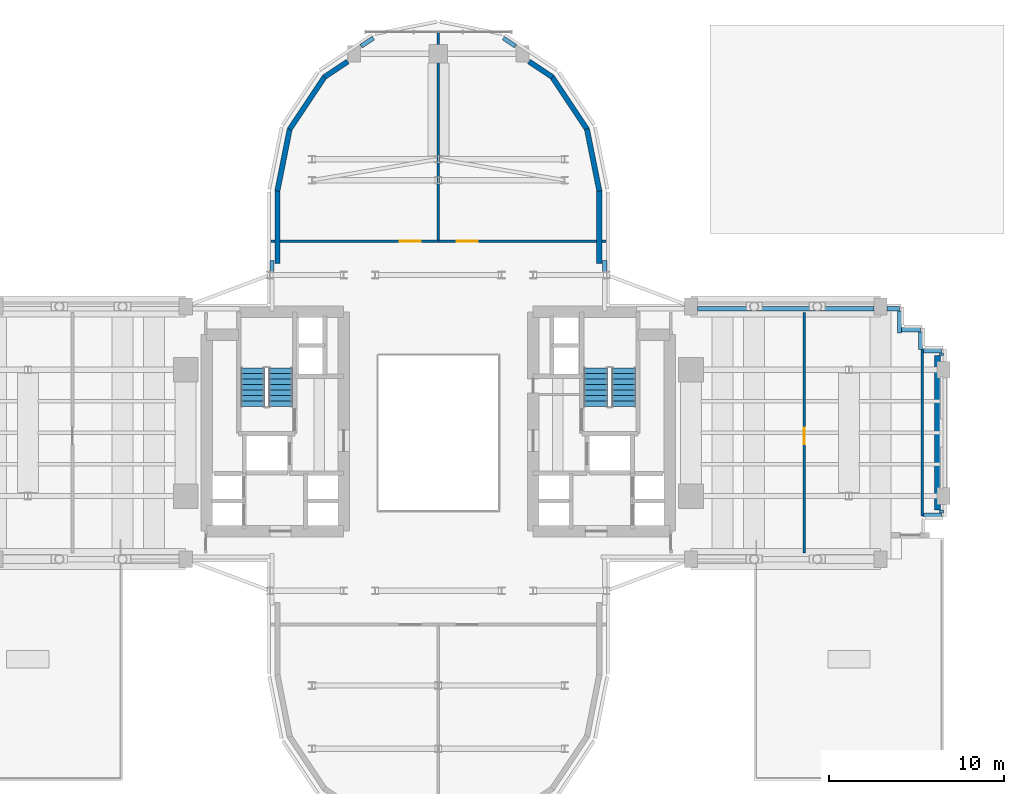
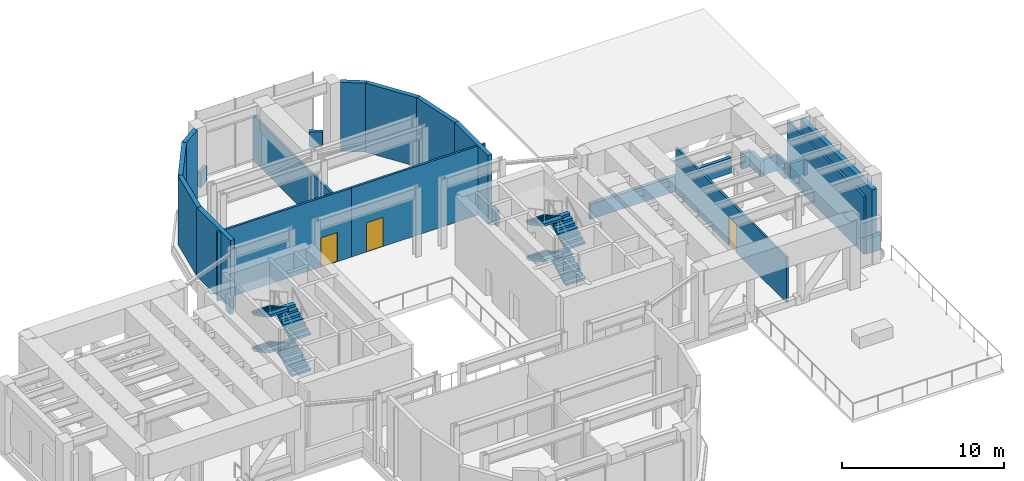
# One storey, part 11 of 16: 27 walls, 8 stair flights, 3 doors, 3 openings, 2 elements without a shape of their own.
"""IFC4 building model written with IfcOpenShell, lengths in metres."""

from ifc_helpers import new_model, si_unit, direction, frame, frame_2d, origin, place, context, subcontext, project, spatial, polyline, rectangle, outline, extrude, source, transform, mapped, material, layer, layer_set, type_object, element, fill, aggregate, save


model = new_model("IFC4")

# Units and contexts
model_context = context("Model", 3, precision=1e-05, world=origin(), true_north=direction((0.0, 1.0)))
body_context = subcontext(model_context, "Body", "Model", "MODEL_VIEW")
ifc_project = project(units=[si_unit("LENGTHUNIT", "METRE"), si_unit("AREAUNIT", "SQUARE_METRE"), si_unit("VOLUMEUNIT", "CUBIC_METRE"), si_unit("PLANEANGLEUNIT", "RADIAN"), si_unit("MASSUNIT", "GRAM", prefix="KILO")], contexts=[model_context])

# Site, building, storey
site_placement = place(None, origin())
site = spatial("IfcSite", under=ifc_project, at=site_placement, CompositionType="ELEMENT")
building_placement = place(site_placement, origin())
building = spatial("IfcBuilding", under=site, at=building_placement, Name="Keilestroom Media Tower", CompositionType="ELEMENT")
storey_placement = place(building_placement, frame((0.0, 0.0, 25.199951171875)))
storey = spatial("IfcBuildingStorey", under=building, at=storey_placement, Name="L05", CompositionType="ELEMENT", Elevation=25.199951171875)

# Walls
ifc_material_1 = material(Name="Precast concrete C40/50", Category="concrete")
ifc_layer_1 = layer(ifc_material_1, 0.300048828125)
ifc_layer_set_1 = layer_set([ifc_layer_1], Name="Precast concrete C40/50")
wall_type_1 = type_object("IfcWallType", Name="Exterior-Masonry-Spandrel-Wall-300", PredefinedType="SOLIDWALL", material=ifc_layer_set_1)
wall_1_placement = place(storey_placement, frame((9.171875, 9.659912109375, 0.0), z_axis=(0.0, 0.0, 1.0), x_axis=(0.0, 1.0, 0.0)))
element("IfcWall", 1, at=wall_1_placement, inside=storey, type_object=wall_type_1, Name="L05 Plant Lobe Masonry Wall 01", PredefinedType="SOLIDWALL", context=body_context, shape_type="SweptSolid", body=[
    extrude(rectangle(XDim=4.170166015625, YDim=0.300048828125, at=frame_2d((2.0849609375, 0.0))), origin(), (0.0, 0.0, 1.0), 5.199951171875),
])
for number, where, z_axis, x_axis, name in (
    (2, (9.1748046875, 13.785400390625, 0.0), (0.0, 0.0, 1.0), (-0.195114232679, 0.980780523974, 0.0), "L05 Plant Lobe Masonry Wall 02"),
    (3, (8.48193359375, 17.29736328125, 0.0), (0.0, 0.0, 1.0), (-0.555574187116, 0.831466970246, 0.0), "L05 Plant Lobe Masonry Wall 03"),
):
    element("IfcWall", number, at=place(storey_placement, frame(where, z_axis=z_axis, x_axis=x_axis)), inside=storey, type_object=wall_type_1, Name=name, PredefinedType="SOLIDWALL", context=body_context, shape_type="SweptSolid", body=[
        extrude(rectangle(XDim=3.608642578125, YDim=0.300048828125, at=frame_2d((1.80419921875, 0.0))), origin(), (0.0, 0.0, 1.0), 5.199951171875),
    ])
for number, where, z_axis, x_axis, name in (
    (4, (6.497802734375, 20.277099609375, 0.0), (0.0, 0.0, 1.0), (-0.831440566957, 0.555613699992, 0.0), "L05 Plant Lobe Masonry Wall 04"),
    (5, (-5.1650390625, 21.167724609375, 0.0), (0.0, 0.0, 1.0), (-0.831440566957, -0.555613699992, 0.0), "L05 Plant Lobe Masonry Wall 05"),
):
    element("IfcWall", number, at=place(storey_placement, frame(where, z_axis=z_axis, x_axis=x_axis)), inside=storey, type_object=wall_type_1, Name=name, PredefinedType="SOLIDWALL", context=body_context, shape_type="SweptSolid", body=[
        extrude(rectangle(XDim=1.60302734375, YDim=0.300048828125, at=frame_2d((0.801513671875, 0.0))), origin(), (0.0, 0.0, 1.0), 5.199951171875),
    ])
for number, where, z_axis, x_axis, name in (
    (6, (-6.47705078125, 20.2978515625, 0.0), (0.0, 0.0, 1.0), (-0.555574187116, -0.831466970246, 0.0), "L05 Plant Lobe Masonry Wall 06"),
    (7, (-8.470703125, 17.32470703125, 0.0), (0.0, 0.0, 1.0), (-0.195114232679, -0.980780523974, 0.0), "L05 Plant Lobe Masonry Wall 07"),
):
    element("IfcWall", number, at=place(storey_placement, frame(where, z_axis=z_axis, x_axis=x_axis)), inside=storey, type_object=wall_type_1, Name=name, PredefinedType="SOLIDWALL", context=body_context, shape_type="SweptSolid", body=[
        extrude(rectangle(XDim=3.608642578125, YDim=0.300048828125, at=frame_2d((1.80419921875, 0.0))), origin(), (0.0, 0.0, 1.0), 5.199951171875),
    ])
wall_2_placement = place(storey_placement, frame((-9.171875, 13.830078125, 0.0), z_axis=(0.0, 0.0, 1.0), x_axis=(0.0, -1.0, 0.0)))
element("IfcWall", 8, at=wall_2_placement, inside=storey, type_object=wall_type_1, Name="L05 Plant Lobe Masonry Wall 08", PredefinedType="SOLIDWALL", context=body_context, shape_type="SweptSolid", body=[
    extrude(rectangle(XDim=4.170166015625, YDim=0.300048828125, at=frame_2d((2.0849609375, 0.0))), origin(), (0.0, 0.0, 1.0), 5.199951171875),
])
ifc_layer_2 = layer(ifc_material_1, 0.340087890625)
ifc_layer_set_2 = layer_set([ifc_layer_2], Name="Precast concrete C40/50")
wall_type_2 = type_object("IfcWallType", Name="Exterior-Masonry-Spandrel-Wall-340", PredefinedType="SOLIDWALL", material=ifc_layer_set_2)
wall_3_placement = place(storey_placement, frame((28.449951171875, -4.39990234375, 0.0), z_axis=(0.0, 0.0, 1.0), x_axis=(0.0, 1.0, 0.0)))
element("IfcWall", 9, at=wall_3_placement, inside=storey, type_object=wall_type_2, Name="L05 Plant Masonry Screen Wall E", PredefinedType="SOLIDWALL", context=body_context, shape_type="SweptSolid", body=[
    extrude(rectangle(XDim=8.7998046875, YDim=0.340087890625, at=frame_2d((4.39990234375, 0.0))), origin(), (0.0, 0.0, 1.0), 4.385986328125),
])
ifc_material_2 = material(Name="Gypsum Plasterboard & Steel Stud", Category="steel")
ifc_layer_3 = layer(ifc_material_2, 0.14990234375)
ifc_layer_set_3 = layer_set([ifc_layer_3], Name="Gypsum Plasterboard & Steel Stud")
wall_type_3 = type_object("IfcWallType", Name="Interior-Partition-Wall-150", PredefinedType="PARTITIONING", material=ifc_layer_set_3)
wall_4_placement = place(storey_placement, frame((27.580078125, -4.75, 0.0), z_axis=(0.0, 0.0, 1.0), x_axis=(0.0, 1.0, 0.0)))
element("IfcWall", 10, at=wall_4_placement, inside=storey, type_object=wall_type_3, Name="L05 Interior Wall WP-L05-TLNG-EE", PredefinedType="PARTITIONING", context=body_context, shape_type="SweptSolid", body=[
    extrude(rectangle(XDim=9.5, YDim=0.14990234375, at=frame_2d((4.75, 0.0))), origin(), (0.0, 0.0, 1.0), 4.385986328125),
])

# Wall, opening, door
wall_5_placement = place(storey_placement, frame((20.85009765625, -6.85009765625, 0.0), z_axis=(0.0, 0.0, 1.0), x_axis=(0.0, 1.0, 0.0)))
wall_5 = element("IfcWall", 11, at=wall_5_placement, inside=storey, type_object=wall_type_3, Name="L05 Interior Wall WP-L05-REF-EE", PredefinedType="PARTITIONING", context=body_context, shape_type="SweptSolid", body=[
    extrude(rectangle(XDim=13.7001953125, YDim=0.14990234375, at=frame_2d((6.85009765625, 0.0))), origin(), (0.0, 0.0, 1.0), 3.400146484375),
])
opening_1_placement = place(wall_5_placement, frame((6.199951171875, 0.0, 0.0)))
opening_1 = element("IfcOpeningElement", 12, at=opening_1_placement, cuts=wall_5, Name="Opening DI-03", PredefinedType="OPENING", context=body_context, shape_type="SweptSolid", body=[
    extrude(rectangle(XDim=0.949951171875, YDim=2.14990234375, at=frame_2d((0.47509765625, 1.074951171875))), frame((0.0, 0.0849609375, 0.0), z_axis=(0.0, -1.0, 0.0), x_axis=(1.0, 0.0, 0.0)), (0.0, 0.0, 1.0), 0.169921875),
])
ifc_material_3 = material(Name="Lacquered European Oak Leaf", Category="wood")
door_type_1 = type_object("IfcDoorType", Name="Interior-Room-And-Suite-Door-DI-03", OperationType="NOTDEFINED", PredefinedType="DOOR", material=ifc_material_3)
shared_shape_1 = source(origin(), body_context, "Body", "SweptSolid", [
    extrude(rectangle(XDim=0.949951171875, YDim=2.14990234375, at=frame_2d((0.47509765625, 1.074951171875))), frame((0.0, 0.02490234375, 0.0), z_axis=(0.0, -1.0, 0.0), x_axis=(1.0, 0.0, 0.0)), (0.0, 0.0, 1.0), 0.050048828125),
])
door_1_placement = place(opening_1_placement, origin())
door_1 = element("IfcDoor", 13, at=door_1_placement, inside=storey, type_object=door_type_1, Name="L05 Interior Door DI-L05-DTLNG-SE", OperationType="SINGLE_SWING_LEFT", OverallHeight=2.14990234375, OverallWidth=0.949951171875, PredefinedType="DOOR", context=body_context, shape_type="MappedRepresentation", body=[
    mapped(shared_shape_1, transform((0.0, 0.0, 0.0), x_axis=(1.0, 0.0, 0.0), y_axis=(0.0, 1.0, 0.0), z_axis=(0.0, 0.0, 1.0), scale=1.0)),
])
fill(opening_1, door_1)

wall_6_placement = place(storey_placement, frame((-9.550048828125, 10.919921875, 0.0), z_axis=(0.0, 0.0, 1.0), x_axis=(1.0, 0.0, 0.0)))
wall_6 = element("IfcWall", 14, at=wall_6_placement, inside=storey, type_object=wall_type_3, Name="L05 Interior Wall WP-L05-PL-AHUN-S", PredefinedType="PARTITIONING", context=body_context, shape_type="SweptSolid", body=[
    extrude(rectangle(XDim=9.550048828125, YDim=0.14990234375, at=frame_2d((4.77490234375, 0.0))), origin(), (0.0, 0.0, 1.0), 5.199951171875),
])
opening_2_placement = place(wall_6_placement, frame((7.35009765625, 0.0, 0.0)))
opening_2 = element("IfcOpeningElement", 15, at=opening_2_placement, cuts=wall_6, Name="Opening DI-02", PredefinedType="OPENING", context=body_context, shape_type="SweptSolid", body=[
    extrude(rectangle(XDim=1.199951171875, YDim=2.199951171875, at=frame_2d((0.60009765625, 1.10009765625))), frame((0.0, 0.0849609375, 0.0), z_axis=(0.0, -1.0, 0.0), x_axis=(1.0, 0.0, 0.0)), (0.0, 0.0, 1.0), 0.169921875),
])
ifc_material_4 = material(Name="Powder-Coated Steel Fire Leaf", Category="steel")
door_type_2 = type_object("IfcDoorType", Name="Interior-Compartment-Fire-Door-DI-02", OperationType="NOTDEFINED", PredefinedType="DOOR", material=ifc_material_4)
shared_shape_2 = source(origin(), body_context, "Body", "SweptSolid", [
    extrude(rectangle(XDim=1.199951171875, YDim=2.199951171875, at=frame_2d((0.60009765625, 1.10009765625))), frame((0.0, 0.02490234375, 0.0), z_axis=(0.0, -1.0, 0.0), x_axis=(1.0, 0.0, 0.0)), (0.0, 0.0, 1.0), 0.050048828125),
])
door_2_placement = place(opening_2_placement, origin())
door_2 = element("IfcDoor", 16, at=door_2_placement, inside=storey, type_object=door_type_2, Name="L05 Interior Door DI-L05-PL-AHUN-D", OperationType="SINGLE_SWING_RIGHT", OverallHeight=2.199951171875, OverallWidth=1.199951171875, PredefinedType="DOOR", context=body_context, shape_type="MappedRepresentation", body=[
    mapped(shared_shape_2, transform((0.0, 0.0, 0.0), x_axis=(1.0, 0.0, 0.0), y_axis=(0.0, 1.0, 0.0), z_axis=(0.0, 0.0, 1.0), scale=1.0)),
])
fill(opening_2, door_2)

# Wall
wall_7_placement = place(storey_placement, frame((0.0, 10.919921875, 0.0), z_axis=(0.0, 0.0, 1.0), x_axis=(0.0, 1.0, 0.0)))
element("IfcWall", 17, at=wall_7_placement, inside=storey, type_object=wall_type_3, Name="L05 Interior Wall WP-L05-PL-AHUN-M", PredefinedType="PARTITIONING", context=body_context, shape_type="SweptSolid", body=[
    extrude(rectangle(XDim=11.93017578125, YDim=0.14990234375, at=frame_2d((5.965087890625, 0.0))), origin(), (0.0, 0.0, 1.0), 3.400146484375),
])

# Wall, opening, door
wall_8_placement = place(storey_placement, frame((0.0, 10.919921875, 0.0), z_axis=(0.0, 0.0, 1.0), x_axis=(1.0, 0.0, 0.0)))
wall_8 = element("IfcWall", 18, at=wall_8_placement, inside=storey, type_object=wall_type_3, Name="L05 Interior Wall WP-L05-PL-ELECN-S", PredefinedType="PARTITIONING", context=body_context, shape_type="SweptSolid", body=[
    extrude(rectangle(XDim=9.550048828125, YDim=0.14990234375, at=frame_2d((4.77490234375, 0.0))), origin(), (0.0, 0.0, 1.0), 5.199951171875),
])
opening_3_placement = place(wall_8_placement, frame((1.050048828125, 0.0, 0.0)))
opening_3 = element("IfcOpeningElement", 19, at=opening_3_placement, cuts=wall_8, Name="Opening DI-02", PredefinedType="OPENING", context=body_context, shape_type="SweptSolid", body=[
    extrude(rectangle(XDim=1.199951171875, YDim=2.199951171875, at=frame_2d((0.60009765625, 1.10009765625))), frame((0.0, 0.0849609375, 0.0), z_axis=(0.0, -1.0, 0.0), x_axis=(1.0, 0.0, 0.0)), (0.0, 0.0, 1.0), 0.169921875),
])
door_3_placement = place(opening_3_placement, origin())
door_3 = element("IfcDoor", 20, at=door_3_placement, inside=storey, type_object=door_type_2, Name="L05 Interior Door DI-L05-PL-ELECN-D", OperationType="SINGLE_SWING_LEFT", OverallHeight=2.199951171875, OverallWidth=1.199951171875, PredefinedType="DOOR", context=body_context, shape_type="MappedRepresentation", body=[
    mapped(shared_shape_2, transform((0.0, 0.0, 0.0), x_axis=(1.0, 0.0, 0.0), y_axis=(0.0, 1.0, 0.0), z_axis=(0.0, 0.0, 1.0), scale=1.0)),
])
fill(opening_3, door_3)

# Walls
ifc_layer_4 = layer(ifc_material_1, 0.239990234375)
ifc_layer_set_4 = layer_set([ifc_layer_4], Name="Precast concrete C40/50")
wall_type_4 = type_object("IfcWallType", Name="Roof-And-Terrace-Parapet-Wall-240", PredefinedType="PARAPET", material=ifc_layer_set_4)
wall_9_placement = place(storey_placement, frame((28.679931640625, -4.679931640625, 0.0), z_axis=(0.0, 0.0, 1.0), x_axis=(-1.0, 0.0, 0.0)))
element("IfcWall", 21, at=wall_9_placement, inside=storey, type_object=wall_type_4, Name="L05 Perimeter Edge Parapet Wall 01", PredefinedType="PARAPET", context=body_context, shape_type="SweptSolid", body=[
    extrude(rectangle(XDim=1.02197265625, YDim=0.239990234375, at=frame_2d((0.510986328125, 0.0))), origin(), (0.0, 0.0, 1.0), 1.150146484375),
])
wall_10_placement = place(storey_placement, frame((-9.47998046875, 9.2109375, 0.0), z_axis=(0.0, 0.0, 1.0), x_axis=(0.0, 1.0, 0.0)))
element("IfcWall", 22, at=wall_10_placement, inside=storey, type_object=wall_type_4, Name="L05 Perimeter Edge Parapet Wall 24", PredefinedType="PARAPET", context=body_context, shape_type="SweptSolid", body=[
    extrude(rectangle(XDim=0.6044921875, YDim=0.239990234375, at=frame_2d((0.30224609375, 0.0))), origin(), (0.0, 0.0, 1.0), 1.150146484375),
])
for number, where, z_axis, x_axis, name in (
    (23, (-4.3984375, 22.040771484375, 0.0), (0.0, 0.0, 1.0), (0.831598418809, 0.555377412067, 0.0), "L05 Perimeter Edge Parapet Wall 25"),
    (24, (3.706787109375, 22.502685546875, 0.0), (0.0, 0.0, 1.0), (0.831598418809, -0.555377412067, 0.0), "L05 Perimeter Edge Parapet Wall 26"),
):
    element("IfcWall", number, at=place(storey_placement, frame(where, z_axis=z_axis, x_axis=x_axis)), inside=storey, type_object=wall_type_4, Name=name, PredefinedType="PARAPET", context=body_context, shape_type="SweptSolid", body=[
        extrude(rectangle(XDim=0.831787109375, YDim=0.239990234375, at=frame_2d((0.416015625, 0.0))), origin(), (0.0, 0.0, 1.0), 1.150146484375),
    ])
wall_11_placement = place(storey_placement, frame((9.47998046875, 9.8154296875, 0.0), z_axis=(0.0, 0.0, 1.0), x_axis=(0.0, -1.0, 0.0)))
element("IfcWall", 25, at=wall_11_placement, inside=storey, type_object=wall_type_4, Name="L05 Perimeter Edge Parapet Wall 27", PredefinedType="PARAPET", context=body_context, shape_type="SweptSolid", body=[
    extrude(rectangle(XDim=0.6044921875, YDim=0.239990234375, at=frame_2d((0.30224609375, 0.0))), origin(), (0.0, 0.0, 1.0), 1.150146484375),
])
wall_12_placement = place(storey_placement, frame((14.778076171875, 7.080078125, 0.0), z_axis=(0.0, 0.0, 1.0), x_axis=(1.0, 0.0, 0.0)))
element("IfcWall", 26, at=wall_12_placement, inside=storey, type_object=wall_type_4, Name="L05 Perimeter Edge Parapet Wall 30", PredefinedType="PARAPET", context=body_context, shape_type="SweptSolid", body=[
    extrude(rectangle(XDim=10.0439453125, YDim=0.239990234375, at=frame_2d((5.02197265625, 0.0))), origin(), (0.0, 0.0, 1.0), 1.150146484375),
])
wall_13_placement = place(storey_placement, frame((25.577880859375, 7.080078125, 0.0), z_axis=(0.0, 0.0, 1.0), x_axis=(1.0, 0.0, 0.0)))
element("IfcWall", 27, at=wall_13_placement, inside=storey, type_object=wall_type_4, Name="L05 Perimeter Edge Parapet Wall 31", PredefinedType="PARAPET", context=body_context, shape_type="SweptSolid", body=[
    extrude(rectangle(XDim=0.7021484375, YDim=0.239990234375, at=frame_2d((0.35107421875, 0.0))), origin(), (0.0, 0.0, 1.0), 1.150146484375),
])
wall_14_placement = place(storey_placement, frame((26.280029296875, 6.95703125, 0.0), z_axis=(0.0, 0.0, 1.0), x_axis=(0.0, -1.0, 0.0)))
element("IfcWall", 28, at=wall_14_placement, inside=storey, type_object=wall_type_4, Name="L05 Perimeter Edge Parapet Wall 32", PredefinedType="PARAPET", context=body_context, shape_type="SweptSolid", body=[
    extrude(rectangle(XDim=1.277099609375, YDim=0.239990234375, at=frame_2d((0.638671875, 0.0))), origin(), (0.0, 0.0, 1.0), 1.150146484375),
])
wall_15_placement = place(storey_placement, frame((26.403076171875, 5.8798828125, 0.0), z_axis=(0.0, 0.0, 1.0), x_axis=(1.0, 0.0, 0.0)))
element("IfcWall", 29, at=wall_15_placement, inside=storey, type_object=wall_type_4, Name="L05 Perimeter Edge Parapet Wall 33", PredefinedType="PARAPET", context=body_context, shape_type="SweptSolid", body=[
    extrude(rectangle(XDim=1.076904296875, YDim=0.239990234375, at=frame_2d((0.53857421875, 0.0))), origin(), (0.0, 0.0, 1.0), 1.150146484375),
])
wall_16_placement = place(storey_placement, frame((27.47998046875, 5.757080078125, 0.0), z_axis=(0.0, 0.0, 1.0), x_axis=(0.0, -1.0, 0.0)))
element("IfcWall", 30, at=wall_16_placement, inside=storey, type_object=wall_type_4, Name="L05 Perimeter Edge Parapet Wall 34", PredefinedType="PARAPET", context=body_context, shape_type="SweptSolid", body=[
    extrude(rectangle(XDim=1.004150390625, YDim=0.239990234375, at=frame_2d((0.501953125, 0.0))), origin(), (0.0, 0.0, 1.0), 1.150146484375),
])
wall_17_placement = place(storey_placement, frame((27.657958984375, 4.679931640625, 0.0), z_axis=(0.0, 0.0, 1.0), x_axis=(1.0, 0.0, 0.0)))
element("IfcWall", 31, at=wall_17_placement, inside=storey, type_object=wall_type_4, Name="L05 Perimeter Edge Parapet Wall 35", PredefinedType="PARAPET", context=body_context, shape_type="SweptSolid", body=[
    extrude(rectangle(XDim=1.02197265625, YDim=0.239990234375, at=frame_2d((0.510986328125, 0.0))), origin(), (0.0, 0.0, 1.0), 1.150146484375),
])
for number, where, z_axis, x_axis, name in (
    (32, (28.679931640625, 4.556884765625, 0.0), (0.0, 0.0, 1.0), (0.0, -1.0, 0.0), "L05 Perimeter Edge Parapet Wall 36"),
    (33, (28.679931640625, -4.403076171875, 0.0), (0.0, 0.0, 1.0), (0.0, -1.0, 0.0), "L05 Perimeter Edge Parapet Wall 37"),
):
    element("IfcWall", number, at=place(storey_placement, frame(where, z_axis=z_axis, x_axis=x_axis)), inside=storey, type_object=wall_type_4, Name=name, PredefinedType="PARAPET", context=body_context, shape_type="SweptSolid", body=[
        extrude(rectangle(XDim=0.15380859375, YDim=0.239990234375, at=frame_2d((0.076904296875, 0.0))), origin(), (0.0, 0.0, 1.0), 1.150146484375),
    ])

# Stair, stair flights
ifc_material_5 = material(Name="Concrete C45/55", Category="concrete")
stair_type = type_object("IfcStairType", Name="Enclosed-Dog-Leg-Stair-ST-CORE", PredefinedType="HALF_TURN_STAIR", material=ifc_material_5)
stair_1_placement = place(storey_placement, origin())
stair_1 = element("IfcStair", 34, at=stair_1_placement, inside=storey, type_object=stair_type, Name="L05 West Core Escape Stair ST-1", PredefinedType="HALF_TURN_STAIR")
stair_flight_type = type_object("IfcStairFlightType", Name="Precast-Concrete-Stair-Flight-Core-160", PredefinedType="STRAIGHT", material=ifc_material_1)
stair_flight_1_placement = place(storey_placement, frame((-8.97998046875, 1.5, 0.0), z_axis=(0.0, 0.0, 1.0), x_axis=(0.0, 1.0, 0.0)))
stair_flight_1 = element("IfcStairFlight", 35, at=stair_flight_1_placement, type_object=stair_flight_type, Name="ST-1 flight 1", NumberOfRisers=8, NumberOfTreads=7, PredefinedType="STRAIGHT", RiserHeight=0.16875, TreadLength=0.312, context=body_context, shape_type="SweptSolid", body=[
    extrude(outline(polyline([(0.0, 0.0), (0.0, 0.168701171875), (0.31201171875, 0.168701171875), (0.31201171875, 0.33740234375), (0.6240234375, 0.33740234375), (0.6240234375, 0.50634765625), (0.93603515625, 0.50634765625), (0.93603515625, 0.675048828125), (1.248046875, 0.675048828125), (1.248046875, 0.84375), (1.56005859375, 0.84375), (1.56005859375, 1.012451171875), (1.8720703125, 1.012451171875), (1.8720703125, 1.18115234375), (2.18408203125, 1.18115234375), (2.18408203125, 1.35009765625), (2.18408203125, 0.99951171875), (0.336181640625, 0.0), (0.0, 0.0)])), frame((0.0, 0.68017578125, 0.0), z_axis=(0.0, -1.0, 0.0), x_axis=(1.0, 0.0, 0.0)), (0.0, 0.0, 1.0), 1.360107421875),
])
stair_flight_2_placement = place(storey_placement, frame((-10.580078125, 3.68408203125, 1.35009765625), z_axis=(0.0, 0.0, 1.0), x_axis=(0.0, -1.0, 0.0)))
stair_flight_2 = element("IfcStairFlight", 36, at=stair_flight_2_placement, type_object=stair_flight_type, Name="ST-1 flight 2", NumberOfRisers=8, NumberOfTreads=7, PredefinedType="STRAIGHT", RiserHeight=0.16875, TreadLength=0.312, context=body_context, shape_type="SweptSolid", body=[
    extrude(outline(polyline([(0.0, 0.0), (0.0, 0.168701171875), (0.31201171875, 0.168701171875), (0.31201171875, 0.33740234375), (0.6240234375, 0.33740234375), (0.6240234375, 0.50634765625), (0.93603515625, 0.50634765625), (0.93603515625, 0.675048828125), (1.248046875, 0.675048828125), (1.248046875, 0.84375), (1.56005859375, 0.84375), (1.56005859375, 1.012451171875), (1.8720703125, 1.012451171875), (1.8720703125, 1.18115234375), (2.18408203125, 1.18115234375), (2.18408203125, 1.35009765625), (2.18408203125, 0.99951171875), (0.336181640625, 0.0), (0.0, 0.0)])), frame((0.0, 0.68017578125, 0.0), z_axis=(0.0, -1.0, 0.0), x_axis=(1.0, 0.0, 0.0)), (0.0, 0.0, 1.0), 1.360107421875),
])
stair_flight_3_placement = place(storey_placement, frame((-8.97998046875, 1.5, 2.699951171875), z_axis=(0.0, 0.0, 1.0), x_axis=(0.0, 1.0, 0.0)))
stair_flight_3 = element("IfcStairFlight", 37, at=stair_flight_3_placement, type_object=stair_flight_type, Name="ST-1 flight 3", NumberOfRisers=8, NumberOfTreads=7, PredefinedType="STRAIGHT", RiserHeight=0.16875, TreadLength=0.312, context=body_context, shape_type="SweptSolid", body=[
    extrude(outline(polyline([(0.0, 0.0), (0.0, 0.168701171875), (0.31201171875, 0.168701171875), (0.31201171875, 0.33740234375), (0.6240234375, 0.33740234375), (0.6240234375, 0.50634765625), (0.93603515625, 0.50634765625), (0.93603515625, 0.675048828125), (1.248046875, 0.675048828125), (1.248046875, 0.84375), (1.56005859375, 0.84375), (1.56005859375, 1.012451171875), (1.8720703125, 1.012451171875), (1.8720703125, 1.18115234375), (2.18408203125, 1.18115234375), (2.18408203125, 1.35009765625), (2.18408203125, 0.99951171875), (0.336181640625, 0.0), (0.0, 0.0)])), frame((0.0, 0.68017578125, 0.0), z_axis=(0.0, -1.0, 0.0), x_axis=(1.0, 0.0, 0.0)), (0.0, 0.0, 1.0), 1.360107421875),
])
stair_flight_4_placement = place(storey_placement, frame((-10.580078125, 3.68408203125, 4.050048828125), z_axis=(0.0, 0.0, 1.0), x_axis=(0.0, -1.0, 0.0)))
stair_flight_4 = element("IfcStairFlight", 38, at=stair_flight_4_placement, type_object=stair_flight_type, Name="ST-1 flight 4", NumberOfRisers=8, NumberOfTreads=7, PredefinedType="STRAIGHT", RiserHeight=0.16875, TreadLength=0.312, context=body_context, shape_type="SweptSolid", body=[
    extrude(outline(polyline([(0.0, 0.0), (0.0, 0.168701171875), (0.31201171875, 0.168701171875), (0.31201171875, 0.33740234375), (0.6240234375, 0.33740234375), (0.6240234375, 0.50634765625), (0.93603515625, 0.50634765625), (0.93603515625, 0.675048828125), (1.248046875, 0.675048828125), (1.248046875, 0.84375), (1.56005859375, 0.84375), (1.56005859375, 1.012451171875), (1.8720703125, 1.012451171875), (1.8720703125, 1.18115234375), (2.18408203125, 1.18115234375), (2.18408203125, 1.35009765625), (2.18408203125, 0.99951171875), (0.336181640625, 0.0), (0.0, 0.0)])), frame((0.0, 0.68017578125, 0.0), z_axis=(0.0, -1.0, 0.0), x_axis=(1.0, 0.0, 0.0)), (0.0, 0.0, 1.0), 1.360107421875),
])
aggregate(stair_1, [stair_flight_1, stair_flight_2, stair_flight_3, stair_flight_4])

stair_2_placement = place(storey_placement, origin())
stair_2 = element("IfcStair", 39, at=stair_2_placement, inside=storey, type_object=stair_type, Name="L05 East Core Escape Stair ST-2", PredefinedType="HALF_TURN_STAIR")
stair_flight_5_placement = place(storey_placement, frame((10.580078125, 1.5, 0.0), z_axis=(0.0, 0.0, 1.0), x_axis=(0.0, 1.0, 0.0)))
stair_flight_5 = element("IfcStairFlight", 40, at=stair_flight_5_placement, type_object=stair_flight_type, Name="ST-2 flight 1", NumberOfRisers=8, NumberOfTreads=7, PredefinedType="STRAIGHT", RiserHeight=0.16875, TreadLength=0.312, context=body_context, shape_type="SweptSolid", body=[
    extrude(outline(polyline([(0.0, 0.0), (0.0, 0.168701171875), (0.31201171875, 0.168701171875), (0.31201171875, 0.33740234375), (0.6240234375, 0.33740234375), (0.6240234375, 0.50634765625), (0.93603515625, 0.50634765625), (0.93603515625, 0.675048828125), (1.248046875, 0.675048828125), (1.248046875, 0.84375), (1.56005859375, 0.84375), (1.56005859375, 1.012451171875), (1.8720703125, 1.012451171875), (1.8720703125, 1.18115234375), (2.18408203125, 1.18115234375), (2.18408203125, 1.35009765625), (2.18408203125, 0.99951171875), (0.336181640625, 0.0), (0.0, 0.0)])), frame((0.0, 0.68017578125, 0.0), z_axis=(0.0, -1.0, 0.0), x_axis=(1.0, 0.0, 0.0)), (0.0, 0.0, 1.0), 1.360107421875),
])
stair_flight_6_placement = place(storey_placement, frame((8.97998046875, 3.68408203125, 1.35009765625), z_axis=(0.0, 0.0, 1.0), x_axis=(0.0, -1.0, 0.0)))
stair_flight_6 = element("IfcStairFlight", 41, at=stair_flight_6_placement, type_object=stair_flight_type, Name="ST-2 flight 2", NumberOfRisers=8, NumberOfTreads=7, PredefinedType="STRAIGHT", RiserHeight=0.16875, TreadLength=0.312, context=body_context, shape_type="SweptSolid", body=[
    extrude(outline(polyline([(0.0, 0.0), (0.0, 0.168701171875), (0.31201171875, 0.168701171875), (0.31201171875, 0.33740234375), (0.6240234375, 0.33740234375), (0.6240234375, 0.50634765625), (0.93603515625, 0.50634765625), (0.93603515625, 0.675048828125), (1.248046875, 0.675048828125), (1.248046875, 0.84375), (1.56005859375, 0.84375), (1.56005859375, 1.012451171875), (1.8720703125, 1.012451171875), (1.8720703125, 1.18115234375), (2.18408203125, 1.18115234375), (2.18408203125, 1.35009765625), (2.18408203125, 0.99951171875), (0.336181640625, 0.0), (0.0, 0.0)])), frame((0.0, 0.68017578125, 0.0), z_axis=(0.0, -1.0, 0.0), x_axis=(1.0, 0.0, 0.0)), (0.0, 0.0, 1.0), 1.360107421875),
])
stair_flight_7_placement = place(storey_placement, frame((10.580078125, 1.5, 2.699951171875), z_axis=(0.0, 0.0, 1.0), x_axis=(0.0, 1.0, 0.0)))
stair_flight_7 = element("IfcStairFlight", 42, at=stair_flight_7_placement, type_object=stair_flight_type, Name="ST-2 flight 3", NumberOfRisers=8, NumberOfTreads=7, PredefinedType="STRAIGHT", RiserHeight=0.16875, TreadLength=0.312, context=body_context, shape_type="SweptSolid", body=[
    extrude(outline(polyline([(0.0, 0.0), (0.0, 0.168701171875), (0.31201171875, 0.168701171875), (0.31201171875, 0.33740234375), (0.6240234375, 0.33740234375), (0.6240234375, 0.50634765625), (0.93603515625, 0.50634765625), (0.93603515625, 0.675048828125), (1.248046875, 0.675048828125), (1.248046875, 0.84375), (1.56005859375, 0.84375), (1.56005859375, 1.012451171875), (1.8720703125, 1.012451171875), (1.8720703125, 1.18115234375), (2.18408203125, 1.18115234375), (2.18408203125, 1.35009765625), (2.18408203125, 0.99951171875), (0.336181640625, 0.0), (0.0, 0.0)])), frame((0.0, 0.68017578125, 0.0), z_axis=(0.0, -1.0, 0.0), x_axis=(1.0, 0.0, 0.0)), (0.0, 0.0, 1.0), 1.360107421875),
])
stair_flight_8_placement = place(storey_placement, frame((8.97998046875, 3.68408203125, 4.050048828125), z_axis=(0.0, 0.0, 1.0), x_axis=(0.0, -1.0, 0.0)))
stair_flight_8 = element("IfcStairFlight", 43, at=stair_flight_8_placement, type_object=stair_flight_type, Name="ST-2 flight 4", NumberOfRisers=8, NumberOfTreads=7, PredefinedType="STRAIGHT", RiserHeight=0.16875, TreadLength=0.312, context=body_context, shape_type="SweptSolid", body=[
    extrude(outline(polyline([(0.0, 0.0), (0.0, 0.168701171875), (0.31201171875, 0.168701171875), (0.31201171875, 0.33740234375), (0.6240234375, 0.33740234375), (0.6240234375, 0.50634765625), (0.93603515625, 0.50634765625), (0.93603515625, 0.675048828125), (1.248046875, 0.675048828125), (1.248046875, 0.84375), (1.56005859375, 0.84375), (1.56005859375, 1.012451171875), (1.8720703125, 1.012451171875), (1.8720703125, 1.18115234375), (2.18408203125, 1.18115234375), (2.18408203125, 1.35009765625), (2.18408203125, 0.99951171875), (0.336181640625, 0.0), (0.0, 0.0)])), frame((0.0, 0.68017578125, 0.0), z_axis=(0.0, -1.0, 0.0), x_axis=(1.0, 0.0, 0.0)), (0.0, 0.0, 1.0), 1.360107421875),
])
aggregate(stair_2, [stair_flight_5, stair_flight_6, stair_flight_7, stair_flight_8])

save(model, "model.ifc")
